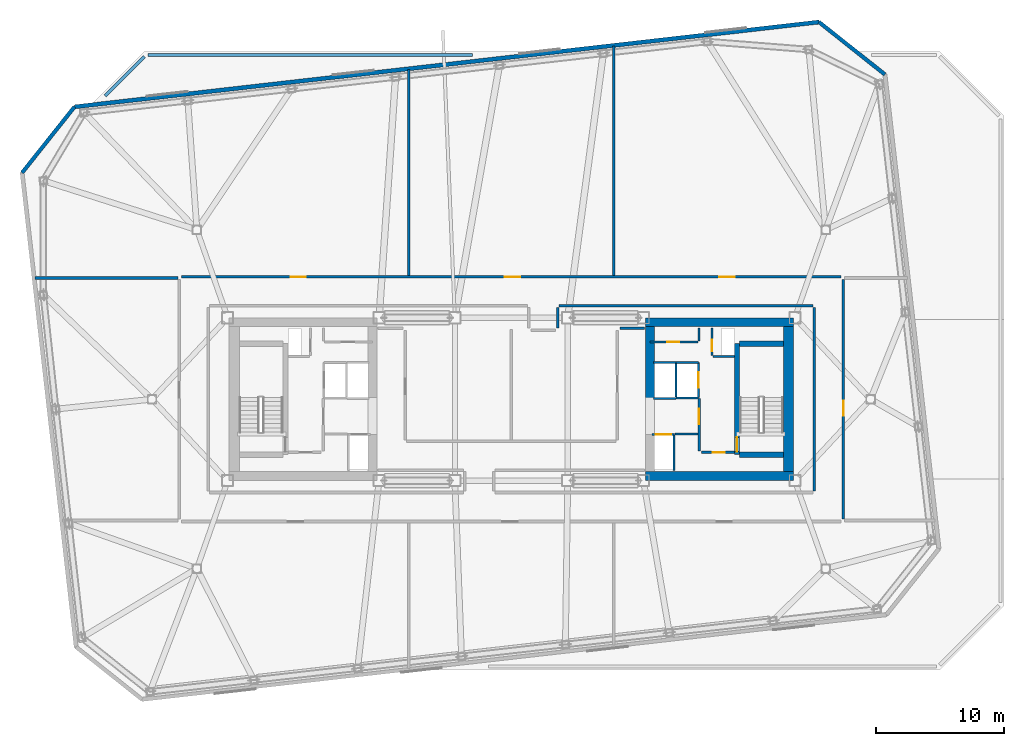
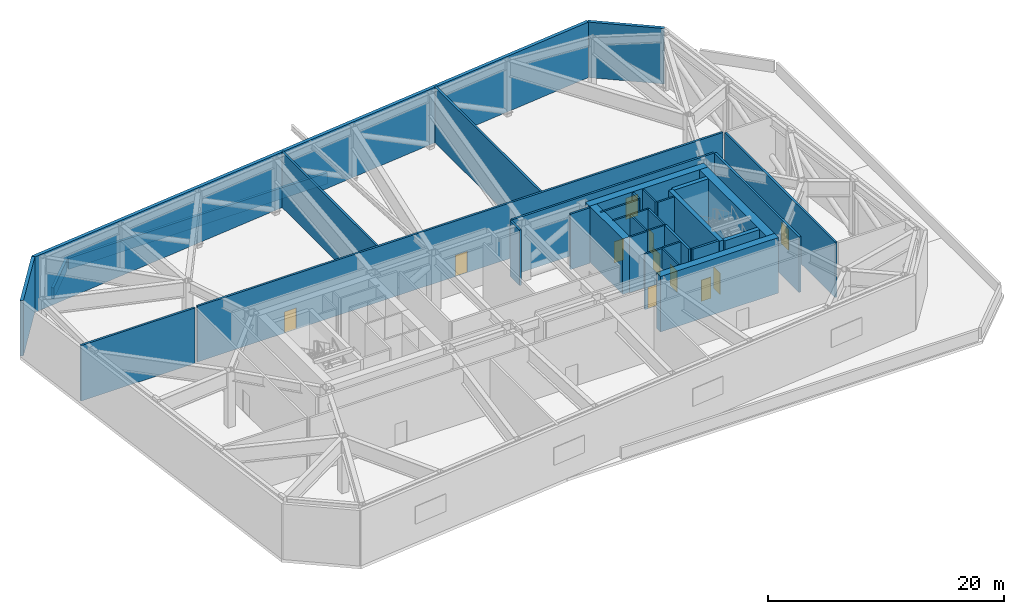
# One storey, part 7 of 13: 36 walls, 11 doors, 11 openings.
"""IFC4 building model written with IfcOpenShell, lengths in metres."""

from ifc_helpers import new_model, si_unit, direction, frame, frame_2d, origin, place, context, subcontext, project, spatial, rectangle, extrude, material, layer, layer_set, type_object, element, fill, save


model = new_model("IFC4")

# Units and contexts
model_context = context("Model", 3, precision=1e-05, world=origin(), true_north=direction((0.0, 1.0)))
body_context = subcontext(model_context, "Body", "Model", "MODEL_VIEW")
ifc_project = project(units=[si_unit("LENGTHUNIT", "METRE"), si_unit("AREAUNIT", "SQUARE_METRE"), si_unit("VOLUMEUNIT", "CUBIC_METRE"), si_unit("PLANEANGLEUNIT", "RADIAN"), si_unit("MASSUNIT", "GRAM", prefix="KILO")], contexts=[model_context])

# Site, building, storey
site_placement = place(None, origin())
site = spatial("IfcSite", under=ifc_project, at=site_placement, CompositionType="ELEMENT")
building_placement = place(site_placement, origin())
building = spatial("IfcBuilding", under=site, at=building_placement, Name="Tavrogorsk Clinical Tower", CompositionType="ELEMENT")
storey_placement = place(building_placement, frame((0.0, 0.0, 208.199951171875)))
storey = spatial("IfcBuildingStorey", under=building, at=storey_placement, Name="L48", CompositionType="ELEMENT", Elevation=208.199951171875)

# Wall, opening, door
ifc_material_1 = material(Name="Concrete B60", Category="concrete")
ifc_layer_1 = layer(ifc_material_1, 0.199951171875)
ifc_layer_set_1 = layer_set([ifc_layer_1], Name="Concrete B60")
wall_type_1 = type_object("IfcWallType", Name="CoreFireWall_200", PredefinedType="SOLIDWALL", material=ifc_layer_set_1)
wall_1_placement = place(storey_placement, frame((14.824951171875, -4.139892578125, 0.0), z_axis=(0.0, 0.0, 1.0), x_axis=(1.0, 0.0, 0.0)))
wall_1 = element("IfcWall", 1, at=wall_1_placement, inside=storey, type_object=wall_type_1, Name="L48 Core East South Core Room Fire Wall", PredefinedType="SOLIDWALL", context=body_context, shape_type="SweptSolid", body=[
    extrude(rectangle(XDim=2.554931640625, YDim=0.199951171875, at=frame_2d((1.27734375, 0.0))), origin(), (0.0, 0.0, 1.0), 5.739990234375),
])
opening_1_placement = place(wall_1_placement, frame((0.8798828125, 0.0, 0.0)))
opening_1 = element("IfcOpeningElement", 2, at=opening_1_placement, cuts=wall_1, Name="Opening ID-02", PredefinedType="OPENING", context=body_context, shape_type="SweptSolid", body=[
    extrude(rectangle(XDim=0.949951171875, YDim=2.199951171875, at=frame_2d((0.47509765625, 1.10009765625))), frame((0.0, 0.10986328125, 0.0), z_axis=(0.0, -1.0, 0.0), x_axis=(1.0, 0.0, 0.0)), (0.0, 0.0, 1.0), 0.219970703125),
])
ifc_material_2 = material(Name="Laminated timber leaf on aluminium frame", Category="wood")
door_type_1 = type_object("IfcDoorType", Name="InteriorDoor_ID02_950", OperationType="NOTDEFINED", PredefinedType="DOOR", material=ifc_material_2)
door_1_placement = place(opening_1_placement, origin())
door_1 = element("IfcDoor", 3, at=door_1_placement, inside=storey, type_object=door_type_1, Name="L48 Core East South Core Room Door", OperationType="SINGLE_SWING_RIGHT", OverallHeight=2.199951171875, OverallWidth=0.949951171875, PredefinedType="DOOR", context=body_context, shape_type="SweptSolid", body=[
    extrude(rectangle(XDim=0.949951171875, YDim=2.199951171875, at=frame_2d((0.47509765625, 1.10009765625))), frame((0.0, 0.02490234375, 0.0), z_axis=(0.0, -1.0, 0.0), x_axis=(1.0, 0.0, 0.0)), (0.0, 0.0, 1.0), 0.050048828125),
])
fill(opening_1, door_1)

wall_2_placement = place(storey_placement, frame((14.639892578125, -4.034912109375, 0.0), z_axis=(0.0, 0.0, 1.0), x_axis=(0.0, 1.0, 0.0)))
wall_2 = element("IfcWall", 4, at=wall_2_placement, inside=storey, type_object=wall_type_1, Name="L48 Core East Firefighting Lobby Fire Wall", PredefinedType="SOLIDWALL", context=body_context, shape_type="SweptSolid", body=[
    extrude(rectangle(XDim=4.074951171875, YDim=0.199951171875, at=frame_2d((2.03759765625, 0.0))), origin(), (0.0, 0.0, 1.0), 5.739990234375),
])
opening_2_placement = place(wall_2_placement, frame((2.090087890625, 0.0, 0.0)))
opening_2 = element("IfcOpeningElement", 5, at=opening_2_placement, cuts=wall_2, Name="Opening FD-01", PredefinedType="OPENING", context=body_context, shape_type="SweptSolid", body=[
    extrude(rectangle(XDim=1.199951171875, YDim=2.199951171875, at=frame_2d((0.60009765625, 1.10009765625))), frame((0.0, 0.10986328125, 0.0), z_axis=(0.0, -1.0, 0.0), x_axis=(1.0, 0.0, 0.0)), (0.0, 0.0, 1.0), 0.219970703125),
])
ifc_material_3 = material(Name="Galvanised steel fire-rated door assembly", Category="steel")
door_type_2 = type_object("IfcDoorType", Name="FireDoor_FD01_1200", OperationType="NOTDEFINED", PredefinedType="DOOR", material=ifc_material_3)
door_2_placement = place(opening_2_placement, origin())
door_2 = element("IfcDoor", 6, at=door_2_placement, inside=storey, type_object=door_type_2, Name="L48 Core East Firefighting Lobby Entry Door", OperationType="SINGLE_SWING_RIGHT", OverallHeight=2.199951171875, OverallWidth=1.199951171875, PredefinedType="DOOR", context=body_context, shape_type="SweptSolid", body=[
    extrude(rectangle(XDim=1.199951171875, YDim=2.199951171875, at=frame_2d((0.60009765625, 1.10009765625))), frame((0.0, 0.02490234375, 0.0), z_axis=(0.0, -1.0, 0.0), x_axis=(1.0, 0.0, 0.0)), (0.0, 0.0, 1.0), 0.050048828125),
])
fill(opening_2, door_2)

# Wall, openings, doors
wall_3_placement = place(storey_placement, frame((-25.695068359375, 9.530029296875, 0.0), z_axis=(0.0, 0.0, 1.0), x_axis=(1.0, 0.0, 0.0)))
wall_3 = element("IfcWall", 7, at=wall_3_placement, inside=storey, type_object=wall_type_1, Name="L48 Refuge Corridor Fire Wall 02", PredefinedType="SOLIDWALL", context=body_context, shape_type="SweptSolid", body=[
    extrude(rectangle(XDim=51.39013671875, YDim=0.199951171875, at=frame_2d((25.695068359375, 0.0))), origin(), (0.0, 0.0, 1.0), 5.739990234375),
])
opening_3_placement = place(wall_3_placement, frame((25.199951171875, 0.0, 0.0)))
opening_3 = element("IfcOpeningElement", 8, at=opening_3_placement, cuts=wall_3, Name="Opening FD-01", PredefinedType="OPENING", context=body_context, shape_type="SweptSolid", body=[
    extrude(rectangle(XDim=1.199951171875, YDim=2.199951171875, at=frame_2d((0.60009765625, 1.10009765625))), frame((0.0, 0.10986328125, 0.0), z_axis=(0.0, -1.0, 0.0), x_axis=(1.0, 0.0, 0.0)), (0.0, 0.0, 1.0), 0.219970703125),
])
opening_4_placement = place(wall_3_placement, frame((8.494140625, 0.0, 0.0)))
opening_4 = element("IfcOpeningElement", 9, at=opening_4_placement, cuts=wall_3, Name="Opening FD-01", PredefinedType="OPENING", context=body_context, shape_type="SweptSolid", body=[
    extrude(rectangle(XDim=1.199951171875, YDim=2.199951171875, at=frame_2d((0.60009765625, 1.10009765625))), frame((0.0, 0.10986328125, 0.0), z_axis=(0.0, -1.0, 0.0), x_axis=(1.0, 0.0, 0.0)), (0.0, 0.0, 1.0), 0.219970703125),
])
opening_5_placement = place(wall_3_placement, frame((41.906005859375, 0.0, 0.0)))
opening_5 = element("IfcOpeningElement", 10, at=opening_5_placement, cuts=wall_3, Name="Opening FD-01", PredefinedType="OPENING", context=body_context, shape_type="SweptSolid", body=[
    extrude(rectangle(XDim=1.199951171875, YDim=2.199951171875, at=frame_2d((0.60009765625, 1.10009765625))), frame((0.0, 0.10986328125, 0.0), z_axis=(0.0, -1.0, 0.0), x_axis=(1.0, 0.0, 0.0)), (0.0, 0.0, 1.0), 0.219970703125),
])
door_3_placement = place(opening_3_placement, origin())
door_3 = element("IfcDoor", 11, at=door_3_placement, inside=storey, type_object=door_type_2, Name="L48 Assisted Bariatric Evacuation Refuge North Fire Door", OperationType="SINGLE_SWING_RIGHT", OverallHeight=2.199951171875, OverallWidth=1.199951171875, PredefinedType="DOOR", context=body_context, shape_type="SweptSolid", body=[
    extrude(rectangle(XDim=1.199951171875, YDim=2.199951171875, at=frame_2d((0.60009765625, 1.10009765625))), frame((0.0, 0.02490234375, 0.0), z_axis=(0.0, -1.0, 0.0), x_axis=(1.0, 0.0, 0.0)), (0.0, 0.0, 1.0), 0.050048828125),
])
fill(opening_3, door_3)
door_4_placement = place(opening_4_placement, origin())
door_4 = element("IfcDoor", 12, at=door_4_placement, inside=storey, type_object=door_type_2, Name="L48 HEPA Isolation AHU Plant West Fire Door", OperationType="SINGLE_SWING_LEFT", OverallHeight=2.199951171875, OverallWidth=1.199951171875, PredefinedType="DOOR", context=body_context, shape_type="SweptSolid", body=[
    extrude(rectangle(XDim=1.199951171875, YDim=2.199951171875, at=frame_2d((0.60009765625, 1.10009765625))), frame((0.0, 0.02490234375, 0.0), z_axis=(0.0, -1.0, 0.0), x_axis=(1.0, 0.0, 0.0)), (0.0, 0.0, 1.0), 0.050048828125),
])
fill(opening_4, door_4)
door_5_placement = place(opening_5_placement, origin())
door_5 = element("IfcDoor", 13, at=door_5_placement, inside=storey, type_object=door_type_2, Name="L48 HEPA Isolation AHU Plant East Fire Door", OperationType="SINGLE_SWING_RIGHT", OverallHeight=2.199951171875, OverallWidth=1.199951171875, PredefinedType="DOOR", context=body_context, shape_type="SweptSolid", body=[
    extrude(rectangle(XDim=1.199951171875, YDim=2.199951171875, at=frame_2d((0.60009765625, 1.10009765625))), frame((0.0, 0.02490234375, 0.0), z_axis=(0.0, -1.0, 0.0), x_axis=(1.0, 0.0, 0.0)), (0.0, 0.0, 1.0), 0.050048828125),
])
fill(opening_5, door_5)

# Wall, opening, door
wall_4_placement = place(storey_placement, frame((25.8798828125, 9.344970703125, 0.0), z_axis=(0.0, 0.0, 1.0), x_axis=(0.0, -1.0, 0.0)))
wall_4 = element("IfcWall", 14, at=wall_4_placement, inside=storey, type_object=wall_type_1, Name="L48 Refuge Corridor Fire Wall 03", PredefinedType="SOLIDWALL", context=body_context, shape_type="SweptSolid", body=[
    extrude(rectangle(XDim=18.68994140625, YDim=0.199951171875, at=frame_2d((9.344970703125, 0.0))), origin(), (0.0, 0.0, 1.0), 5.739990234375),
])
opening_6_placement = place(wall_4_placement, frame((9.449951171875, 0.0, 0.0)))
opening_6 = element("IfcOpeningElement", 15, at=opening_6_placement, cuts=wall_4, Name="Opening FD-01", PredefinedType="OPENING", context=body_context, shape_type="SweptSolid", body=[
    extrude(rectangle(XDim=1.199951171875, YDim=2.199951171875, at=frame_2d((0.60009765625, 1.10009765625))), frame((0.0, 0.10986328125, 0.0), z_axis=(0.0, -1.0, 0.0), x_axis=(1.0, 0.0, 0.0)), (0.0, 0.0, 1.0), 0.219970703125),
])
door_6_placement = place(opening_6_placement, origin())
door_6 = element("IfcDoor", 16, at=door_6_placement, inside=storey, type_object=door_type_2, Name="L48 Smoke Extract & Damper Plenum East Fire Door", OperationType="SINGLE_SWING_RIGHT", OverallHeight=2.199951171875, OverallWidth=1.199951171875, PredefinedType="DOOR", context=body_context, shape_type="SweptSolid", body=[
    extrude(rectangle(XDim=1.199951171875, YDim=2.199951171875, at=frame_2d((0.60009765625, 1.10009765625))), frame((0.0, 0.02490234375, 0.0), z_axis=(0.0, -1.0, 0.0), x_axis=(1.0, 0.0, 0.0)), (0.0, 0.0, 1.0), 0.050048828125),
])
fill(opening_6, door_6)

# Walls
wall_5_placement = place(storey_placement, frame((8.455078125, 5.530029296875, 0.0), z_axis=(0.0, 0.0, 1.0), x_axis=(1.0, 0.0, 0.0)))
element("IfcWall", 17, at=wall_5_placement, inside=storey, type_object=wall_type_1, Name="L48 Refuge Corridor Fire Wall 11", PredefinedType="SOLIDWALL", context=body_context, shape_type="SweptSolid", body=[
    extrude(rectangle(XDim=1.9248046875, YDim=0.199951171875, at=frame_2d((0.96240234375, 0.0))), origin(), (0.0, 0.0, 1.0), 5.739990234375),
])
wall_6_placement = place(storey_placement, frame((23.6201171875, -7.1650390625, 0.0), z_axis=(0.0, 0.0, 1.0), x_axis=(0.0, 1.0, 0.0)))
element("IfcWall", 18, at=wall_6_placement, inside=storey, type_object=wall_type_1, Name="L48 Refuge Corridor Fire Wall 15", PredefinedType="SOLIDWALL", context=body_context, shape_type="SweptSolid", body=[
    extrude(rectangle(XDim=14.330078125, YDim=0.199951171875, at=frame_2d((7.1650390625, 0.0))), origin(), (0.0, 0.0, 1.0), 5.739990234375),
])
wall_7_placement = place(storey_placement, frame((23.514892578125, 7.27001953125, 0.0), z_axis=(0.0, 0.0, 1.0), x_axis=(-1.0, 0.0, 0.0)))
element("IfcWall", 19, at=wall_7_placement, inside=storey, type_object=wall_type_1, Name="L48 Refuge Corridor Fire Wall 16", PredefinedType="SOLIDWALL", context=body_context, shape_type="SweptSolid", body=[
    extrude(rectangle(XDim=19.77978515625, YDim=0.199951171875, at=frame_2d((9.889892578125, 0.0))), origin(), (0.0, 0.0, 1.0), 5.739990234375),
])
wall_8_placement = place(storey_placement, frame((3.6298828125, 7.1650390625, 0.0), z_axis=(0.0, 0.0, 1.0), x_axis=(0.0, -1.0, 0.0)))
element("IfcWall", 20, at=wall_8_placement, inside=storey, type_object=wall_type_1, Name="L48 Refuge Corridor Fire Wall 17", PredefinedType="SOLIDWALL", context=body_context, shape_type="SweptSolid", body=[
    extrude(rectangle(XDim=1.610107421875, YDim=0.199951171875, at=frame_2d((0.80517578125, 0.0))), origin(), (0.0, 0.0, 1.0), 5.739990234375),
])
wall_9_placement = place(storey_placement, frame((-37.13330078125, 9.449951171875, 0.0), z_axis=(0.0, 0.0, 1.0), x_axis=(1.0, 0.0, 0.0)))
element("IfcWall", 21, at=wall_9_placement, inside=storey, type_object=wall_type_1, Name="L48 Refuge & Plant Fire Wall 3", PredefinedType="SOLIDWALL", context=body_context, shape_type="SweptSolid", body=[
    extrude(rectangle(XDim=11.148193359375, YDim=0.199951171875, at=frame_2d((5.57421875, 0.0))), origin(), (0.0, 0.0, 1.0), 5.739990234375),
])
wall_10_placement = place(storey_placement, frame((-8.0, 9.635009765625, 0.0), z_axis=(0.0, 0.0, 1.0), x_axis=(0.0, 1.0, 0.0)))
element("IfcWall", 22, at=wall_10_placement, inside=storey, type_object=wall_type_1, Name="L48 Refuge & Plant Fire Wall 7", PredefinedType="SOLIDWALL", context=body_context, shape_type="SweptSolid", body=[
    extrude(rectangle(XDim=16.056884765625, YDim=0.199951171875, at=frame_2d((8.0283203125, 0.0))), origin(), (0.0, 0.0, 1.0), 5.739990234375),
])
wall_11_placement = place(storey_placement, frame((8.0, 9.635009765625, 0.0), z_axis=(0.0, 0.0, 1.0), x_axis=(0.0, 1.0, 0.0)))
element("IfcWall", 23, at=wall_11_placement, inside=storey, type_object=wall_type_1, Name="L48 Refuge & Plant Fire Wall 8", PredefinedType="SOLIDWALL", context=body_context, shape_type="SweptSolid", body=[
    extrude(rectangle(XDim=17.8798828125, YDim=0.199951171875, at=frame_2d((8.93994140625, 0.0))), origin(), (0.0, 0.0, 1.0), 5.739990234375),
])
ifc_material_4 = material(Name="Lightweight concrete blockwork B15", Category="masonry")
ifc_layer_2 = layer(ifc_material_4, 0.159912109375)
ifc_layer_set_2 = layer_set([ifc_layer_2], Name="Lightweight concrete blockwork B15")
wall_type_2 = type_object("IfcWallType", Name="PartitionWall_160", PredefinedType="PARTITIONING", material=ifc_layer_set_2)
wall_12_placement = place(storey_placement, frame((12.77490234375, -2.699951171875, 0.0), z_axis=(0.0, 0.0, 1.0), x_axis=(1.0, 0.0, 0.0)))
element("IfcWall", 24, at=wall_12_placement, inside=storey, type_object=wall_type_2, Name="L48 Core East Freed Low-Bank North Partition", PredefinedType="PARTITIONING", context=body_context, shape_type="SweptSolid", body=[
    extrude(rectangle(XDim=1.760009765625, YDim=0.159912109375, at=frame_2d((0.8798828125, 0.0))), origin(), (0.0, 0.0, 1.0), 5.739990234375),
])

# Wall, opening, door
wall_13_placement = place(storey_placement, frame((10.800048828125, 4.4599609375, 0.0), z_axis=(0.0, 0.0, 1.0), x_axis=(1.0, 0.0, 0.0)))
wall_13 = element("IfcWall", 25, at=wall_13_placement, inside=storey, type_object=wall_type_2, Name="L48 Core East Pneumatic Dispatch South Wall", PredefinedType="PARTITIONING", context=body_context, shape_type="SweptSolid", body=[
    extrude(rectangle(XDim=3.7548828125, YDim=0.159912109375, at=frame_2d((1.87744140625, 0.0))), origin(), (0.0, 0.0, 1.0), 5.739990234375),
])
opening_7_placement = place(wall_13_placement, frame((1.35009765625, 0.0, 0.0)))
opening_7 = element("IfcOpeningElement", 26, at=opening_7_placement, cuts=wall_13, Name="Opening ID-02", PredefinedType="OPENING", context=body_context, shape_type="SweptSolid", body=[
    extrude(rectangle(XDim=0.949951171875, YDim=2.199951171875, at=frame_2d((0.47509765625, 1.10009765625))), frame((0.0, 0.08984375, 0.0), z_axis=(0.0, -1.0, 0.0), x_axis=(1.0, 0.0, 0.0)), (0.0, 0.0, 1.0), 0.179931640625),
])
door_7_placement = place(opening_7_placement, origin())
door_7 = element("IfcDoor", 27, at=door_7_placement, inside=storey, type_object=door_type_1, Name="L48 Core East Pneumatic Dispatch Door", OperationType="SINGLE_SWING_LEFT", OverallHeight=2.199951171875, OverallWidth=0.949951171875, PredefinedType="DOOR", context=body_context, shape_type="SweptSolid", body=[
    extrude(rectangle(XDim=0.949951171875, YDim=2.199951171875, at=frame_2d((0.47509765625, 1.10009765625))), frame((0.0, 0.02490234375, 0.0), z_axis=(0.0, -1.0, 0.0), x_axis=(1.0, 0.0, 0.0)), (0.0, 0.0, 1.0), 0.050048828125),
])
fill(opening_7, door_7)

# Walls
wall_14_placement = place(storey_placement, frame((14.639892578125, 4.544921875, 0.0), z_axis=(0.0, 0.0, 1.0), x_axis=(0.0, 1.0, 0.0)))
element("IfcWall", 28, at=wall_14_placement, inside=storey, type_object=wall_type_2, Name="L48 Core East Pneumatic Dispatch East Wall", PredefinedType="PARTITIONING", context=body_context, shape_type="SweptSolid", body=[
    extrude(rectangle(XDim=1.01513671875, YDim=0.159912109375, at=frame_2d((0.507568359375, 0.0))), origin(), (0.0, 0.0, 1.0), 5.739990234375),
])
ifc_material_5 = material(Name="Precast concrete B45 acoustic plenum wall", Category="concrete")
ifc_layer_3 = layer(ifc_material_5, 0.320068359375)
ifc_layer_set_3 = layer_set([ifc_layer_3], Name="Precast concrete B45 acoustic plenum wall")
wall_type_3 = type_object("IfcWallType", Name="PlantLouvreWall_320", PredefinedType="STANDARD", material=ifc_layer_set_3)
wall_15_placement = place(storey_placement, frame((23.9814453125, 29.39599609375, 0.0), z_axis=(0.0, 0.0, 1.0), x_axis=(-0.993572308046, -0.113199243306, 0.0)))
element("IfcWall", 29, at=wall_15_placement, inside=storey, type_object=wall_type_3, Name="L48 N Limestone Facade Wall 1", PredefinedType="STANDARD", context=body_context, shape_type="SweptSolid", body=[
    extrude(rectangle(XDim=58.400146484375, YDim=0.320068359375, at=frame_2d((29.2001953125, 0.0))), origin(), (0.0, 0.0, 1.0), 5.739990234375),
])
ifc_material_6 = material(Name="Concrete B60", Category="concrete")
ifc_layer_4 = layer(ifc_material_6, 0.25)
ifc_layer_set_4 = layer_set([ifc_layer_4], Name="Concrete B60")
wall_type_4 = type_object("IfcWallType", Name="RoofParapetWall_250", PredefinedType="PARAPET", material=ifc_layer_set_4)
wall_16_placement = place(storey_placement, frame((-31.66455078125, 23.639404296875, 0.0), z_axis=(0.0, 0.0, 1.0), x_axis=(0.707106781187, 0.707106781187, 0.0)))
element("IfcWall", 30, at=wall_16_placement, inside=storey, type_object=wall_type_4, Name="L48 Setback Coping Parapet 1", PredefinedType="PARAPET", context=body_context, shape_type="SweptSolid", body=[
    extrude(rectangle(XDim=4.337890625, YDim=0.25, at=frame_2d((2.1689453125, 0.0))), origin(), (0.0, 0.0, 1.0), 1.150146484375),
])
wall_17_placement = place(storey_placement, frame((-28.323974609375, 26.820068359375, 0.0), z_axis=(0.0, 0.0, 1.0), x_axis=(1.0, 0.0, 0.0)))
element("IfcWall", 31, at=wall_17_placement, inside=storey, type_object=wall_type_4, Name="L48 Setback Coping Parapet 2", PredefinedType="PARAPET", context=body_context, shape_type="SweptSolid", body=[
    extrude(rectangle(XDim=25.294677734375, YDim=0.25, at=frame_2d((12.6474609375, 0.0))), origin(), (0.0, 0.0, 1.0), 1.150146484375),
])

# Wall, opening, door
ifc_material_7 = material(Name="Lightweight concrete blockwork B25", Category="masonry")
ifc_layer_5 = layer(ifc_material_7, 0.159912109375)
ifc_layer_set_5 = layer_set([ifc_layer_5], Name="Lightweight concrete blockwork B25")
wall_type_5 = type_object("IfcWallType", Name="ShaftWall_160", PredefinedType="PARTITIONING", material=ifc_layer_set_5)
wall_18_placement = place(storey_placement, frame((14.60009765625, 0.1201171875, 0.0), z_axis=(0.0, 0.0, 1.0), x_axis=(0.0, 1.0, 0.0)))
wall_18 = element("IfcWall", 32, at=wall_18_placement, inside=storey, type_object=wall_type_5, Name="L48 FFL-E Firefighting Lift Front Wall", PredefinedType="PARTITIONING", context=body_context, shape_type="SweptSolid", body=[
    extrude(rectangle(XDim=2.739990234375, YDim=0.159912109375, at=frame_2d((1.3701171875, 0.0))), origin(), (0.0, 0.0, 1.0), 5.739990234375),
])
opening_8_placement = place(wall_18_placement, frame((0.77001953125, 0.0, 0.0)))
opening_8 = element("IfcOpeningElement", 33, at=opening_8_placement, cuts=wall_18, Name="Opening LD", PredefinedType="OPENING", context=body_context, shape_type="SweptSolid", body=[
    extrude(rectangle(XDim=1.199951171875, YDim=2.199951171875, at=frame_2d((0.60009765625, 1.10009765625))), frame((0.0, 0.08984375, 0.0), z_axis=(0.0, -1.0, 0.0), x_axis=(1.0, 0.0, 0.0)), (0.0, 0.0, 1.0), 0.179931640625),
])
ifc_material_8 = material(Name="Brushed stainless steel AISI 304 sliding doors", Category="steel")
door_type_3 = type_object("IfcDoorType", Name="LiftLandingDoor_LD_1200", OperationType="SLIDING_TO_LEFT", PredefinedType="DOOR", material=ifc_material_8)
door_8_placement = place(opening_8_placement, origin())
door_8 = element("IfcDoor", 34, at=door_8_placement, inside=storey, type_object=door_type_3, Name="L48 FFL-E Sliding Lift Landing Door", OperationType="SLIDING_TO_LEFT", OverallHeight=2.199951171875, OverallWidth=1.199951171875, PredefinedType="DOOR", context=body_context, shape_type="SweptSolid", body=[
    extrude(rectangle(XDim=1.199951171875, YDim=2.199951171875, at=frame_2d((0.60009765625, 1.10009765625))), frame((0.0, 0.02490234375, 0.0), z_axis=(0.0, -1.0, 0.0), x_axis=(1.0, 0.0, 0.0)), (0.0, 0.0, 1.0), 0.050048828125),
])
fill(opening_8, door_8)

# Walls
for number, where, z_axis, x_axis, name in (
    (35, (12.840087890625, 0.10009765625, 0.0), (0.0, 0.0, 1.0), (1.0, 0.0, 0.0), "L48 FFL-E Shaft South Wall"),
    (36, (12.840087890625, 2.8798828125, 0.0), (0.0, 0.0, 1.0), (1.0, 0.0, 0.0), "L48 FFL-E Shaft North Wall"),
):
    element("IfcWall", number, at=place(storey_placement, frame(where, z_axis=z_axis, x_axis=x_axis)), inside=storey, type_object=wall_type_5, Name=name, PredefinedType="PARTITIONING", context=body_context, shape_type="SweptSolid", body=[
        extrude(rectangle(XDim=1.760009765625, YDim=0.159912109375, at=frame_2d((0.8798828125, 0.0))), origin(), (0.0, 0.0, 1.0), 5.739990234375),
    ])
wall_19_placement = place(storey_placement, frame((12.840087890625, 0.179931640625, 0.0), z_axis=(0.0, 0.0, 1.0), x_axis=(0.0, 1.0, 0.0)))
element("IfcWall", 37, at=wall_19_placement, inside=storey, type_object=wall_type_5, Name="L48 FFL-E Shaft Back Wall", PredefinedType="PARTITIONING", context=body_context, shape_type="SweptSolid", body=[
    extrude(rectangle(XDim=2.6201171875, YDim=0.159912109375, at=frame_2d((1.31005859375, 0.0))), origin(), (0.0, 0.0, 1.0), 5.739990234375),
])

# Wall, opening, door
wall_20_placement = place(storey_placement, frame((10.969970703125, -2.75, 0.0), z_axis=(0.0, 0.0, 1.0), x_axis=(1.0, 0.0, 0.0)))
wall_20 = element("IfcWall", 38, at=wall_20_placement, inside=storey, type_object=wall_type_5, Name="L48 LP-M2 Lift Shaft Portal Wall", PredefinedType="PARTITIONING", context=body_context, shape_type="SweptSolid", body=[
    extrude(rectangle(XDim=1.760009765625, YDim=0.159912109375, at=frame_2d((0.8798828125, 0.0))), origin(), (0.0, 0.0, 1.0), 5.739990234375),
])
opening_9_placement = place(wall_20_placement, frame((0.280029296875, 0.0, 0.0)))
opening_9 = element("IfcOpeningElement", 39, at=opening_9_placement, cuts=wall_20, Name="Opening LD", PredefinedType="OPENING", context=body_context, shape_type="SweptSolid", body=[
    extrude(rectangle(XDim=1.199951171875, YDim=2.199951171875, at=frame_2d((0.60009765625, 1.10009765625))), frame((0.0, 0.08984375, 0.0), z_axis=(0.0, -1.0, 0.0), x_axis=(1.0, 0.0, 0.0)), (0.0, 0.0, 1.0), 0.179931640625),
])
door_9_placement = place(opening_9_placement, origin())
door_9 = element("IfcDoor", 40, at=door_9_placement, inside=storey, type_object=door_type_3, Name="L48 LP-M2 Sliding Lift Landing Door", OperationType="SLIDING_TO_LEFT", OverallHeight=2.199951171875, OverallWidth=1.199951171875, PredefinedType="DOOR", context=body_context, shape_type="SweptSolid", body=[
    extrude(rectangle(XDim=1.199951171875, YDim=2.199951171875, at=frame_2d((0.60009765625, 1.10009765625))), frame((0.0, 0.02490234375, 0.0), z_axis=(0.0, -1.0, 0.0), x_axis=(1.0, 0.0, 0.0)), (0.0, 0.0, 1.0), 0.050048828125),
])
fill(opening_9, door_9)

# Walls
for number, where, z_axis, x_axis, name in (
    (41, (11.10009765625, 0.06005859375, 0.0), (0.0, 0.0, 1.0), (1.0, 0.0, 0.0), "L48 LP-H2 High-Zone Lift Portal Wall"),
    (42, (11.10009765625, 2.860107421875, 0.0), (0.0, 0.0, 1.0), (1.0, 0.0, 0.0), "L48 LP-H2 High-Zone Lift Rear Wall"),
):
    element("IfcWall", number, at=place(storey_placement, frame(where, z_axis=z_axis, x_axis=x_axis)), inside=storey, type_object=wall_type_5, Name=name, PredefinedType="PARTITIONING", context=body_context, shape_type="SweptSolid", body=[
        extrude(rectangle(XDim=1.719970703125, YDim=0.159912109375, at=frame_2d((0.85986328125, 0.0))), origin(), (0.0, 0.0, 1.0), 5.739990234375),
    ])

# Wall, opening, door
wall_21_placement = place(storey_placement, frame((15.639892578125, 3.405029296875, 0.0), z_axis=(0.0, 0.0, 1.0), x_axis=(0.0, 1.0, 0.0)))
wall_21 = element("IfcWall", 43, at=wall_21_placement, inside=storey, type_object=wall_type_5, Name="L48 Core East Riser West Wall", PredefinedType="PARTITIONING", context=body_context, shape_type="SweptSolid", body=[
    extrude(rectangle(XDim=2.155029296875, YDim=0.159912109375, at=frame_2d((1.07763671875, 0.0))), origin(), (0.0, 0.0, 1.0), 5.739990234375),
])
opening_10_placement = place(wall_21_placement, frame((0.35009765625, 0.0, 0.0)))
opening_10 = element("IfcOpeningElement", 44, at=opening_10_placement, cuts=wall_21, Name="Opening FD-02", PredefinedType="OPENING", context=body_context, shape_type="SweptSolid", body=[
    extrude(rectangle(XDim=0.89990234375, YDim=2.199951171875, at=frame_2d((0.449951171875, 1.10009765625))), frame((0.0, 0.08984375, 0.0), z_axis=(0.0, -1.0, 0.0), x_axis=(1.0, 0.0, 0.0)), (0.0, 0.0, 1.0), 0.179931640625),
])
ifc_material_9 = material(Name="Galvanised steel fire-rated door assembly", Category="steel")
door_type_4 = type_object("IfcDoorType", Name="FireDoor_FD02_900", OperationType="NOTDEFINED", PredefinedType="DOOR", material=ifc_material_9)
door_10_placement = place(opening_10_placement, origin())
door_10 = element("IfcDoor", 45, at=door_10_placement, inside=storey, type_object=door_type_4, Name="L48 Core East Electrical Riser Access Door", OperationType="SINGLE_SWING_LEFT", OverallHeight=2.199951171875, OverallWidth=0.89990234375, PredefinedType="DOOR", context=body_context, shape_type="SweptSolid", body=[
    extrude(rectangle(XDim=0.89990234375, YDim=2.199951171875, at=frame_2d((0.449951171875, 1.10009765625))), frame((0.0, 0.02490234375, 0.0), z_axis=(0.0, -1.0, 0.0), x_axis=(1.0, 0.0, 0.0)), (0.0, 0.0, 1.0), 0.050048828125),
])
fill(opening_10, door_10)

# Walls
wall_22_placement = place(storey_placement, frame((15.72509765625, 3.320068359375, 0.0), z_axis=(0.0, 0.0, 1.0), x_axis=(1.0, 0.0, 0.0)))
element("IfcWall", 46, at=wall_22_placement, inside=storey, type_object=wall_type_5, Name="L48 Core East Riser South Wall", PredefinedType="PARTITIONING", context=body_context, shape_type="SweptSolid", body=[
    extrude(rectangle(XDim=1.65478515625, YDim=0.159912109375, at=frame_2d((0.827392578125, 0.0))), origin(), (0.0, 0.0, 1.0), 5.739990234375),
])
wall_23_placement = place(storey_placement, frame((12.68994140625, -5.56005859375, 0.0), z_axis=(0.0, 0.0, 1.0), x_axis=(0.0, 1.0, 0.0)))
element("IfcWall", 47, at=wall_23_placement, inside=storey, type_object=wall_type_5, Name="L48 Core East Freed Low-Bank Shaft Divider", PredefinedType="PARTITIONING", context=body_context, shape_type="SweptSolid", body=[
    extrude(rectangle(XDim=2.775146484375, YDim=0.159912109375, at=frame_2d((1.3876953125, 0.0))), origin(), (0.0, 0.0, 1.0), 5.739990234375),
])

# Wall, opening, door
ifc_material_10 = material(Name="Concrete B80", Category="concrete")
ifc_layer_6 = layer(ifc_material_10, 0.39990234375)
ifc_layer_set_6 = layer_set([ifc_layer_6], Name="Concrete B80")
wall_type_6 = type_object("IfcWallType", Name="ShearWall_400", PredefinedType="SHEAR", material=ifc_layer_set_6)
wall_24_placement = place(storey_placement, frame((17.60009765625, -4.324951171875, 0.0), z_axis=(0.0, 0.0, 1.0), x_axis=(0.0, 1.0, 0.0)))
wall_24 = element("IfcWall", 48, at=wall_24_placement, inside=storey, type_object=wall_type_6, Name="L48 Core East Stair Shaft Inner Shear Wall", PredefinedType="SHEAR", context=body_context, shape_type="SweptSolid", body=[
    extrude(rectangle(XDim=8.64990234375, YDim=0.39990234375, at=frame_2d((4.324951171875, 0.0))), origin(), (0.0, 0.0, 1.0), 5.739990234375),
])
opening_11_placement = place(wall_24_placement, frame((0.25, 0.0, 0.0)))
opening_11 = element("IfcOpeningElement", 49, at=opening_11_placement, cuts=wall_24, Name="Opening SD-01", PredefinedType="OPENING", context=body_context, shape_type="SweptSolid", body=[
    extrude(rectangle(XDim=1.10009765625, YDim=2.199951171875, at=frame_2d((0.550048828125, 1.10009765625))), frame((0.0, 0.2099609375, 0.0), z_axis=(0.0, -1.0, 0.0), x_axis=(1.0, 0.0, 0.0)), (0.0, 0.0, 1.0), 0.419921875),
])
ifc_material_11 = material(Name="Galvanised steel smoke-tight fire door assembly", Category="steel")
door_type_5 = type_object("IfcDoorType", Name="StairFireDoor_SD01_1100", OperationType="NOTDEFINED", PredefinedType="DOOR", material=ifc_material_11)
door_11_placement = place(opening_11_placement, origin())
door_11 = element("IfcDoor", 50, at=door_11_placement, inside=storey, type_object=door_type_5, Name="L48 ST-E Exit Stair Door", OperationType="SINGLE_SWING_RIGHT", OverallHeight=2.199951171875, OverallWidth=1.10009765625, PredefinedType="DOOR", context=body_context, shape_type="SweptSolid", body=[
    extrude(rectangle(XDim=1.10009765625, YDim=2.199951171875, at=frame_2d((0.550048828125, 1.10009765625))), frame((0.0, 0.02490234375, 0.0), z_axis=(0.0, -1.0, 0.0), x_axis=(1.0, 0.0, 0.0)), (0.0, 0.0, 1.0), 0.050048828125),
])
fill(opening_11, door_11)

# Walls
for number, where, z_axis, x_axis, name in (
    (51, (17.800048828125, -4.324951171875, 0.0), (0.0, 0.0, 1.0), (1.0, 0.0, 0.0), "L48 Core East Stair Shaft South Shear Wall"),
    (52, (17.800048828125, 4.324951171875, 0.0), (0.0, 0.0, 1.0), (1.0, 0.0, 0.0), "L48 Core East Stair Shaft North Shear Wall"),
):
    element("IfcWall", number, at=place(storey_placement, frame(where, z_axis=z_axis, x_axis=x_axis)), inside=storey, type_object=wall_type_6, Name=name, PredefinedType="SHEAR", context=body_context, shape_type="SweptSolid", body=[
        extrude(rectangle(XDim=3.39990234375, YDim=0.39990234375, at=frame_2d((1.699951171875, 0.0))), origin(), (0.0, 0.0, 1.0), 5.739990234375),
    ])
ifc_material_12 = material(Name="Concrete B80", Category="concrete")
ifc_layer_7 = layer(ifc_material_12, 0.699951171875)
ifc_layer_set_7 = layer_set([ifc_layer_7], Name="Concrete B80")
wall_type_7 = type_object("IfcWallType", Name="ShearWall_700", PredefinedType="SHEAR", material=ifc_layer_set_7)
for number, where, z_axis, x_axis, name in (
    (53, (10.449951171875, 6.0, 0.0), (0.0, 0.0, 1.0), (1.0, 0.0, 0.0), "L48 Core East North Shear Wall"),
    (54, (10.449951171875, -6.0, 0.0), (0.0, 0.0, 1.0), (1.0, 0.0, 0.0), "L48 Core East South Shear Wall"),
):
    element("IfcWall", number, at=place(storey_placement, frame(where, z_axis=z_axis, x_axis=x_axis)), inside=storey, type_object=wall_type_7, Name=name, PredefinedType="SHEAR", context=body_context, shape_type="SweptSolid", body=[
        extrude(rectangle(XDim=11.550048828125, YDim=0.699951171875, at=frame_2d((5.77490234375, 0.0))), origin(), (0.0, 0.0, 1.0), 5.739990234375),
    ])
wall_25_placement = place(storey_placement, frame((10.800048828125, 0.050048828125, 0.0), z_axis=(0.0, 0.0, 1.0), x_axis=(0.0, 1.0, 0.0)))
element("IfcWall", 55, at=wall_25_placement, inside=storey, type_object=wall_type_7, Name="L48 Core East Inner North Pier", PredefinedType="SHEAR", context=body_context, shape_type="SweptSolid", body=[
    extrude(rectangle(XDim=5.599853515625, YDim=0.699951171875, at=frame_2d((2.7998046875, 0.0))), origin(), (0.0, 0.0, 1.0), 5.739990234375),
])
ifc_material_13 = material(Name="Concrete B80", Category="concrete")
ifc_layer_8 = layer(ifc_material_13, 0.800048828125)
ifc_layer_set_8 = layer_set([ifc_layer_8], Name="Concrete B80")
wall_type_8 = type_object("IfcWallType", Name="ShearWall_800", PredefinedType="SHEAR", material=ifc_layer_set_8)
wall_26_placement = place(storey_placement, frame((21.60009765625, -5.64990234375, 0.0), z_axis=(0.0, 0.0, 1.0), x_axis=(0.0, 1.0, 0.0)))
element("IfcWall", 56, at=wall_26_placement, inside=storey, type_object=wall_type_8, Name="L48 Core East End Shear Wall", PredefinedType="SHEAR", context=body_context, shape_type="SweptSolid", body=[
    extrude(rectangle(XDim=11.2998046875, YDim=0.800048828125, at=frame_2d((5.64990234375, 0.0))), origin(), (0.0, 0.0, 1.0), 5.739990234375),
])
ifc_material_14 = material(Name="Precast concrete B45 with mineral wool", Category="concrete")
ifc_layer_9 = layer(ifc_material_14, 0.300048828125)
ifc_layer_set_9 = layer_set([ifc_layer_9], Name="Precast concrete B45 with mineral wool")
wall_type_9 = type_object("IfcWallType", Name="SpandrelBackWall_300", PredefinedType="STANDARD", material=ifc_layer_set_9)
wall_27_placement = place(storey_placement, frame((29.116943359375, 25.311279296875, 0.0), z_axis=(0.0, 0.0, 1.0), x_axis=(-0.78260805729, 0.622514761805, 0.0)))
element("IfcWall", 57, at=wall_27_placement, inside=storey, type_object=wall_type_9, Name="L48 Chamfered Corner Wall 2", PredefinedType="STANDARD", context=body_context, shape_type="SweptSolid", body=[
    extrude(rectangle(XDim=6.56201171875, YDim=0.300048828125, at=frame_2d((3.281005859375, 0.0))), origin(), (0.0, 0.0, 1.0), 5.739990234375),
])
wall_28_placement = place(storey_placement, frame((-34.043212890625, 22.78515625, 0.0), z_axis=(0.0, 0.0, 1.0), x_axis=(-0.622491973842, -0.782626183119, 0.0)))
element("IfcWall", 58, at=wall_28_placement, inside=storey, type_object=wall_type_9, Name="L48 Chamfered Corner Wall 3", PredefinedType="STANDARD", context=body_context, shape_type="SweptSolid", body=[
    extrude(rectangle(XDim=6.561767578125, YDim=0.300048828125, at=frame_2d((3.28076171875, 0.0))), origin(), (0.0, 0.0, 1.0), 5.739990234375),
])

save(model, "model.ifc")
